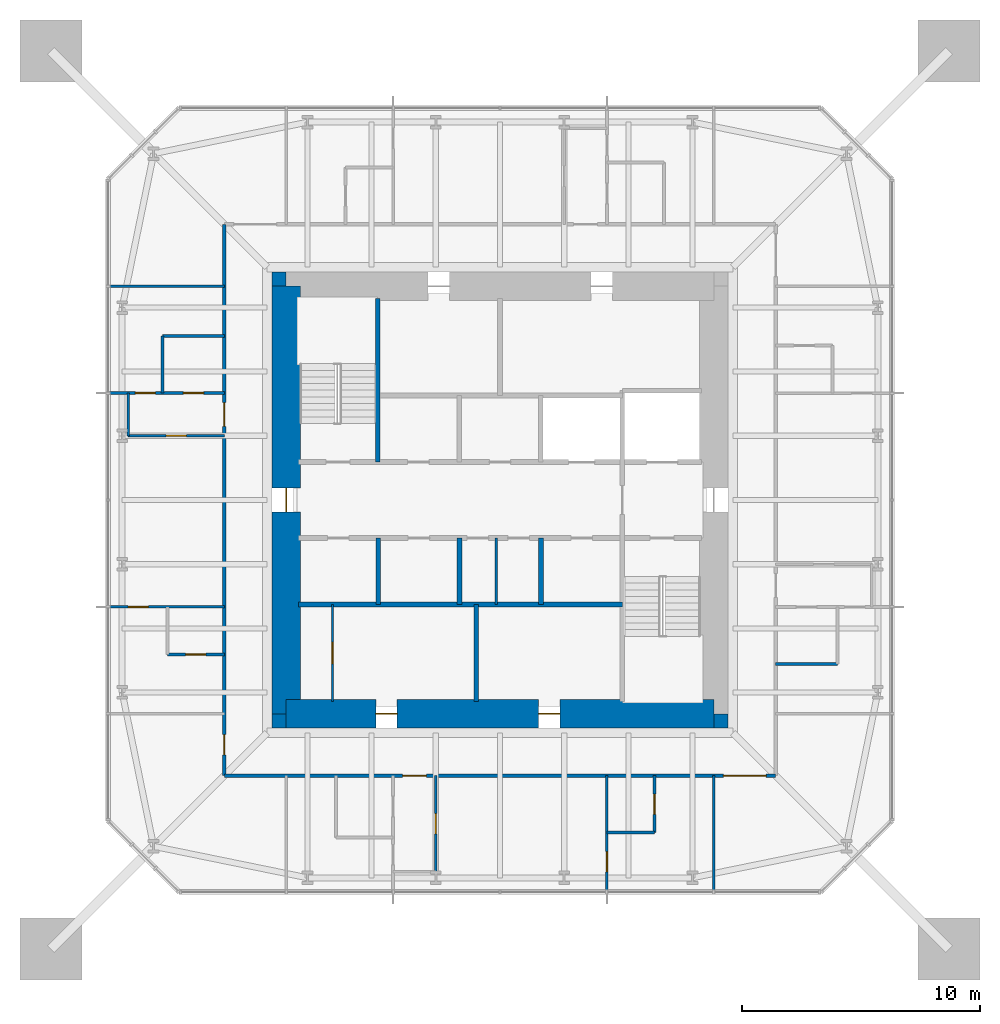
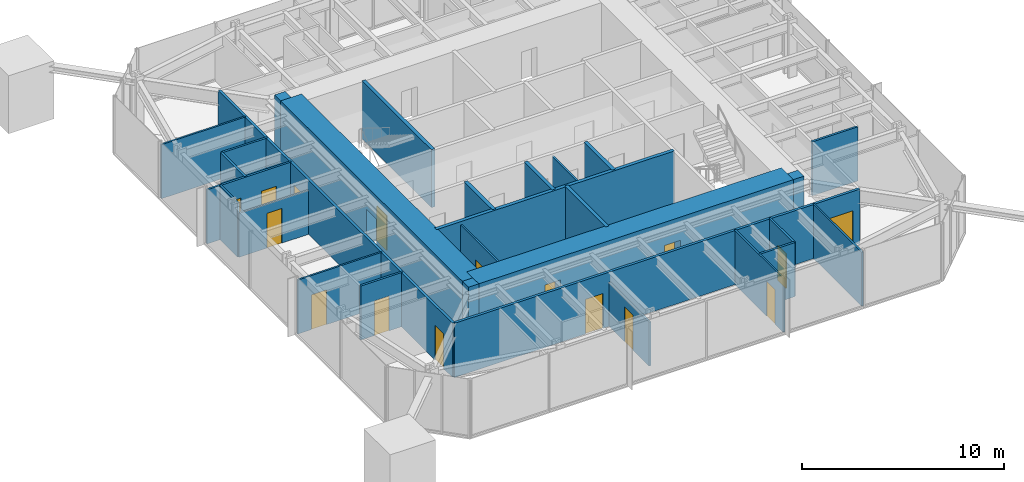
# One storey, part 6 of 9: 29 walls, 16 doors, 16 openings.
"""IFC4 building model written with IfcOpenShell, lengths in metres."""

from ifc_helpers import new_model, si_unit, direction, frame, frame_2d, origin, place, context, subcontext, project, spatial, rectangle, extrude, material, layer, layer_set, type_object, element, fill, save


model = new_model("IFC4")

# Units and contexts
model_context = context("Model", 3, precision=1e-05, world=origin(), true_north=direction((0.0, 1.0)))
body_context = subcontext(model_context, "Body", "Model", "MODEL_VIEW")
ifc_project = project(units=[si_unit("LENGTHUNIT", "METRE"), si_unit("AREAUNIT", "SQUARE_METRE"), si_unit("VOLUMEUNIT", "CUBIC_METRE"), si_unit("PLANEANGLEUNIT", "RADIAN"), si_unit("MASSUNIT", "GRAM", prefix="KILO")], contexts=[model_context])

# Site, building, storey
site_placement = place(None, origin())
site = spatial("IfcSite", under=ifc_project, at=site_placement, CompositionType="ELEMENT")
building_placement = place(site_placement, origin())
building = spatial("IfcBuilding", under=site, at=building_placement, Name="Iwan Alto Co-Living Towers", CompositionType="ELEMENT")
storey_placement = place(building_placement, frame((0.0, 0.0, 239.5)))
storey = spatial("IfcBuildingStorey", under=building, at=storey_placement, Name="L65", CompositionType="ELEMENT", Elevation=239.5)

# Wall, openings, doors
ifc_material_1 = material(Name="Gypsum board")
ifc_layer_1 = layer(ifc_material_1, 0.02490234375, Name="Board", Category="Finish")
ifc_material_2 = material(Name="Steel ASTM A1003 ST33H cold-formed studs", Category="steel")
ifc_layer_2 = layer(ifc_material_2, 0.10009765625, Name="Studs", Category="Framing")
ifc_layer_3 = layer(ifc_material_1, 0.02490234375, Name="Board", Category="Finish")
ifc_layer_set_1 = layer_set([ifc_layer_1, ifc_layer_2, ifc_layer_3], Name="CORRIDOR WALL 150")
wall_type_1 = type_object("IfcWallType", Name="CORRIDOR WALL 150", PredefinedType="PARTITIONING", material=ifc_layer_set_1)
wall_1_placement = place(storey_placement, frame((-11.60009765625, -11.60009765625, 0.0), z_axis=(0.0, 0.0, 1.0), x_axis=(1.0, 0.0, 0.0)))
wall_1 = element("IfcWall", 1, at=wall_1_placement, inside=storey, type_object=wall_type_1, Name="Partition L65", PredefinedType="PARTITIONING", context=body_context, shape_type="SweptSolid", body=[
    extrude(rectangle(XDim=23.2001953125, YDim=0.14990234375, at=frame_2d((11.60009765625, 0.0))), origin(), (0.0, 0.0, 1.0), 3.27001953125),
])
opening_1_placement = place(wall_1_placement, frame((7.5, 0.0, 0.0)))
opening_1 = element("IfcOpeningElement", 2, at=opening_1_placement, cuts=wall_1, Name="Opening D3", PredefinedType="OPENING", context=body_context, shape_type="SweptSolid", body=[
    extrude(rectangle(XDim=1.0, YDim=2.10009765625, at=frame_2d((0.5, 1.050048828125))), frame((0.0, 0.0849609375, 0.0), z_axis=(0.0, -1.0, 0.0), x_axis=(1.0, 0.0, 0.0)), (0.0, 0.0, 1.0), 0.169921875),
])
opening_2_placement = place(wall_1_placement, frame((21.0, 0.0, 0.0)))
opening_2 = element("IfcOpeningElement", 3, at=opening_2_placement, cuts=wall_1, Name="Opening D9", PredefinedType="OPENING", context=body_context, shape_type="SweptSolid", body=[
    extrude(rectangle(XDim=1.800048828125, YDim=2.10009765625, at=frame_2d((0.89990234375, 1.050048828125))), frame((0.0, 0.0849609375, 0.0), z_axis=(0.0, -1.0, 0.0), x_axis=(1.0, 0.0, 0.0)), (0.0, 0.0, 1.0), 0.169921875),
])
ifc_material_3 = material(Name="Steel frame with timber leaf", Category="steel")
door_type_1 = type_object("IfcDoorType", Name="FLAT ENTRANCE DOOR FD30S 1000X2100", OperationType="SINGLE_SWING_LEFT", PredefinedType="DOOR", material=ifc_material_3)
door_1_placement = place(opening_1_placement, frame((1.0, 0.0, 0.0), z_axis=(0.0, 0.0, 1.0), x_axis=(-1.0, 0.0, 0.0)))
door_1 = element("IfcDoor", 4, at=door_1_placement, inside=storey, type_object=door_type_1, Name="Apartment foyer door L65", OperationType="SINGLE_SWING_RIGHT", OverallHeight=2.10009765625, OverallWidth=1.0, PredefinedType="DOOR", context=body_context, shape_type="SweptSolid", body=[
    extrude(rectangle(XDim=1.0, YDim=2.10009765625, at=frame_2d((0.5, 1.050048828125))), frame((0.0, 0.02490234375, 0.0), z_axis=(0.0, -1.0, 0.0), x_axis=(1.0, 0.0, 0.0)), (0.0, 0.0, 1.0), 0.050048828125),
])
fill(opening_1, door_1)
ifc_material_4 = material(Name="Steel frame with timber leaf", Category="steel")
door_type_2 = type_object("IfcDoorType", Name="LOUNGE DOOR FD30S 1800X2100", OperationType="DOUBLE_DOOR_SINGLE_SWING", PredefinedType="DOOR", material=ifc_material_4)
door_2_placement = place(opening_2_placement, frame((1.800048828125, 0.0, 0.0), z_axis=(0.0, 0.0, 1.0), x_axis=(-1.0, 0.0, 0.0)))
door_2 = element("IfcDoor", 5, at=door_2_placement, inside=storey, type_object=door_type_2, Name="Courtyard lounge door L65", OperationType="DOUBLE_DOOR_SINGLE_SWING", OverallHeight=2.10009765625, OverallWidth=1.800048828125, PredefinedType="DOOR", context=body_context, shape_type="SweptSolid", body=[
    extrude(rectangle(XDim=1.800048828125, YDim=2.10009765625, at=frame_2d((0.89990234375, 1.050048828125))), frame((0.0, 0.02490234375, 0.0), z_axis=(0.0, -1.0, 0.0), x_axis=(1.0, 0.0, 0.0)), (0.0, 0.0, 1.0), 0.050048828125),
])
fill(opening_2, door_2)

wall_2_placement = place(storey_placement, frame((-11.60009765625, -11.60009765625, 0.0), z_axis=(0.0, 0.0, 1.0), x_axis=(0.0, 1.0, 0.0)))
wall_2 = element("IfcWall", 6, at=wall_2_placement, inside=storey, type_object=wall_type_1, Name="Partition L65", PredefinedType="PARTITIONING", context=body_context, shape_type="SweptSolid", body=[
    extrude(rectangle(XDim=23.2001953125, YDim=0.14990234375, at=frame_2d((11.60009765625, 0.0))), origin(), (0.0, 0.0, 1.0), 3.27001953125),
])
opening_3_placement = place(wall_2_placement, frame((14.699951171875, 0.0, 0.0)))
opening_3 = element("IfcOpeningElement", 7, at=opening_3_placement, cuts=wall_2, Name="Opening D3", PredefinedType="OPENING", context=body_context, shape_type="SweptSolid", body=[
    extrude(rectangle(XDim=1.0, YDim=2.10009765625, at=frame_2d((0.5, 1.050048828125))), frame((0.0, 0.0849609375, 0.0), z_axis=(0.0, -1.0, 0.0), x_axis=(1.0, 0.0, 0.0)), (0.0, 0.0, 1.0), 0.169921875),
])
opening_4_placement = place(wall_2_placement, frame((0.875, 0.0, 0.0)))
opening_4 = element("IfcOpeningElement", 8, at=opening_4_placement, cuts=wall_2, Name="Opening D2", PredefinedType="OPENING", context=body_context, shape_type="SweptSolid", body=[
    extrude(rectangle(XDim=0.85009765625, YDim=2.10009765625, at=frame_2d((0.425048828125, 1.050048828125))), frame((0.0, 0.0849609375, 0.0), z_axis=(0.0, -1.0, 0.0), x_axis=(1.0, 0.0, 0.0)), (0.0, 0.0, 1.0), 0.169921875),
])
door_3_placement = place(opening_3_placement, origin())
door_3 = element("IfcDoor", 9, at=door_3_placement, inside=storey, type_object=door_type_1, Name="Apartment foyer door L65", OperationType="SINGLE_SWING_LEFT", OverallHeight=2.10009765625, OverallWidth=1.0, PredefinedType="DOOR", context=body_context, shape_type="SweptSolid", body=[
    extrude(rectangle(XDim=1.0, YDim=2.10009765625, at=frame_2d((0.5, 1.050048828125))), frame((0.0, 0.02490234375, 0.0), z_axis=(0.0, -1.0, 0.0), x_axis=(1.0, 0.0, 0.0)), (0.0, 0.0, 1.0), 0.050048828125),
])
fill(opening_3, door_3)
ifc_material_5 = material(Name="Timber leaf in steel frame", Category="steel")
door_type_3 = type_object("IfcDoorType", Name="ROOM DOOR 850X2100", OperationType="SINGLE_SWING_LEFT", PredefinedType="DOOR", material=ifc_material_5)
door_4_placement = place(opening_4_placement, origin())
door_4 = element("IfcDoor", 10, at=door_4_placement, inside=storey, type_object=door_type_3, Name="Shared kitchen and lounge door L65", OperationType="SINGLE_SWING_RIGHT", OverallHeight=2.10009765625, OverallWidth=0.85009765625, PredefinedType="DOOR", context=body_context, shape_type="SweptSolid", body=[
    extrude(rectangle(XDim=0.85009765625, YDim=2.10009765625, at=frame_2d((0.425048828125, 1.050048828125))), frame((0.0, 0.02490234375, 0.0), z_axis=(0.0, -1.0, 0.0), x_axis=(1.0, 0.0, 0.0)), (0.0, 0.0, 1.0), 0.050048828125),
])
fill(opening_4, door_4)

# Wall, opening, door
ifc_layer_4 = layer(ifc_material_1, 0.012451171875, Name="Board", Category="Finish")
ifc_layer_5 = layer(ifc_material_2, 0.074951171875, Name="Studs", Category="Framing")
ifc_layer_6 = layer(ifc_material_1, 0.012451171875, Name="Board", Category="Finish")
ifc_layer_set_2 = layer_set([ifc_layer_4, ifc_layer_5, ifc_layer_6], Name="PARTITION 100")
wall_type_2 = type_object("IfcWallType", Name="PARTITION 100", PredefinedType="PARTITIONING", material=ifc_layer_set_2)
wall_3_placement = place(storey_placement, frame((-16.43994140625, -4.5, 0.0), z_axis=(0.0, 0.0, 1.0), x_axis=(1.0, 0.0, 0.0)))
wall_3 = element("IfcWall", 11, at=wall_3_placement, inside=storey, type_object=wall_type_2, Name="Partition L65", PredefinedType="PARTITIONING", context=body_context, shape_type="SweptSolid", body=[
    extrude(rectangle(XDim=4.83984375, YDim=0.10009765625, at=frame_2d((2.419921875, 0.0))), origin(), (0.0, 0.0, 1.0), 3.27001953125),
])
opening_5_placement = place(wall_3_placement, frame((0.794921875, 0.0, 0.0)))
opening_5 = element("IfcOpeningElement", 12, at=opening_5_placement, cuts=wall_3, Name="Opening D2", PredefinedType="OPENING", context=body_context, shape_type="SweptSolid", body=[
    extrude(rectangle(XDim=0.85009765625, YDim=2.10009765625, at=frame_2d((0.425048828125, 1.050048828125))), frame((0.0, 0.06005859375, 0.0), z_axis=(0.0, -1.0, 0.0), x_axis=(1.0, 0.0, 0.0)), (0.0, 0.0, 1.0), 0.1201171875),
])
door_5_placement = place(opening_5_placement, origin())
door_5 = element("IfcDoor", 13, at=door_5_placement, inside=storey, type_object=door_type_3, Name="Bedroom door L65", OperationType="SINGLE_SWING_LEFT", OverallHeight=2.10009765625, OverallWidth=0.85009765625, PredefinedType="DOOR", context=body_context, shape_type="SweptSolid", body=[
    extrude(rectangle(XDim=0.85009765625, YDim=2.10009765625, at=frame_2d((0.425048828125, 1.050048828125))), frame((0.0, 0.02490234375, 0.0), z_axis=(0.0, -1.0, 0.0), x_axis=(1.0, 0.0, 0.0)), (0.0, 0.0, 1.0), 0.050048828125),
])
fill(opening_5, door_5)

wall_4_placement = place(storey_placement, frame((-15.64990234375, 2.699951171875, 0.0), z_axis=(0.0, 0.0, 1.0), x_axis=(1.0, 0.0, 0.0)))
wall_4 = element("IfcWall", 14, at=wall_4_placement, inside=storey, type_object=wall_type_2, Name="Partition L65", PredefinedType="PARTITIONING", context=body_context, shape_type="SweptSolid", body=[
    extrude(rectangle(XDim=4.0498046875, YDim=0.10009765625, at=frame_2d((2.02490234375, 0.0))), origin(), (0.0, 0.0, 1.0), 2.662841796875),
])
opening_6_placement = place(wall_4_placement, frame((1.60009765625, 0.0, 0.0)))
opening_6 = element("IfcOpeningElement", 15, at=opening_6_placement, cuts=wall_4, Name="Opening D2", PredefinedType="OPENING", context=body_context, shape_type="SweptSolid", body=[
    extrude(rectangle(XDim=0.85009765625, YDim=2.10009765625, at=frame_2d((0.425048828125, 1.050048828125))), frame((0.0, 0.06005859375, 0.0), z_axis=(0.0, -1.0, 0.0), x_axis=(1.0, 0.0, 0.0)), (0.0, 0.0, 1.0), 0.1201171875),
])
door_6_placement = place(opening_6_placement, frame((0.85009765625, 0.0, 0.0), z_axis=(0.0, 0.0, 1.0), x_axis=(-1.0, 0.0, 0.0)))
door_6 = element("IfcDoor", 16, at=door_6_placement, inside=storey, type_object=door_type_3, Name="Apartment foyer door L65", OperationType="SINGLE_SWING_RIGHT", OverallHeight=2.10009765625, OverallWidth=0.85009765625, PredefinedType="DOOR", context=body_context, shape_type="SweptSolid", body=[
    extrude(rectangle(XDim=0.85009765625, YDim=2.10009765625, at=frame_2d((0.425048828125, 1.050048828125))), frame((0.0, 0.02490234375, 0.0), z_axis=(0.0, -1.0, 0.0), x_axis=(1.0, 0.0, 0.0)), (0.0, 0.0, 1.0), 0.050048828125),
])
fill(opening_6, door_6)

# Walls
for number, where, z_axis, x_axis, name in (
    (17, (-16.43994140625, 9.0, 0.0), (0.0, 0.0, 1.0), (1.0, 0.0, 0.0), "Partition L65"),
    (18, (9.0, -16.43994140625, 0.0), (0.0, 0.0, 1.0), (0.0, 1.0, 0.0), "Partition L65"),
):
    element("IfcWall", number, at=place(storey_placement, frame(where, z_axis=z_axis, x_axis=x_axis)), inside=storey, type_object=wall_type_2, Name=name, PredefinedType="PARTITIONING", context=body_context, shape_type="SweptSolid", body=[
        extrude(rectangle(XDim=4.83984375, YDim=0.10009765625, at=frame_2d((2.419921875, 0.0))), origin(), (0.0, 0.0, 1.0), 3.27001953125),
    ])

# Wall, opening, door
wall_5_placement = place(storey_placement, frame((4.5, -16.43994140625, 0.0), z_axis=(0.0, 0.0, 1.0), x_axis=(0.0, 1.0, 0.0)))
wall_5 = element("IfcWall", 19, at=wall_5_placement, inside=storey, type_object=wall_type_2, Name="Partition L65", PredefinedType="PARTITIONING", context=body_context, shape_type="SweptSolid", body=[
    extrude(rectangle(XDim=4.83984375, YDim=0.10009765625, at=frame_2d((2.419921875, 0.0))), origin(), (0.0, 0.0, 1.0), 3.27001953125),
])
opening_7_placement = place(wall_5_placement, frame((0.794921875, 0.0, 0.0)))
opening_7 = element("IfcOpeningElement", 20, at=opening_7_placement, cuts=wall_5, Name="Opening D2", PredefinedType="OPENING", context=body_context, shape_type="SweptSolid", body=[
    extrude(rectangle(XDim=0.85009765625, YDim=2.10009765625, at=frame_2d((0.425048828125, 1.050048828125))), frame((0.0, 0.06005859375, 0.0), z_axis=(0.0, -1.0, 0.0), x_axis=(1.0, 0.0, 0.0)), (0.0, 0.0, 1.0), 0.1201171875),
])
door_7_placement = place(opening_7_placement, origin())
door_7 = element("IfcDoor", 21, at=door_7_placement, inside=storey, type_object=door_type_3, Name="Bedroom door L65", OperationType="SINGLE_SWING_LEFT", OverallHeight=2.10009765625, OverallWidth=0.85009765625, PredefinedType="DOOR", context=body_context, shape_type="SweptSolid", body=[
    extrude(rectangle(XDim=0.85009765625, YDim=2.10009765625, at=frame_2d((0.425048828125, 1.050048828125))), frame((0.0, 0.02490234375, 0.0), z_axis=(0.0, -1.0, 0.0), x_axis=(1.0, 0.0, 0.0)), (0.0, 0.0, 1.0), 0.050048828125),
])
fill(opening_7, door_7)

# Wall
wall_6_placement = place(storey_placement, frame((-0.158935546875, -4.39990234375, 0.0), z_axis=(0.0, 0.0, 1.0), x_axis=(0.0, 1.0, 0.0)))
element("IfcWall", 22, at=wall_6_placement, inside=storey, type_object=wall_type_2, Name="Partition L65", PredefinedType="PARTITIONING", context=body_context, shape_type="SweptSolid", body=[
    extrude(rectangle(XDim=2.7998046875, YDim=0.10009765625, at=frame_2d((1.39990234375, 0.0))), origin(), (0.0, 0.0, 1.0), 3.300048828125),
])

# Wall, opening, door
wall_7_placement = place(storey_placement, frame((-2.699951171875, -15.64990234375, 0.0), z_axis=(0.0, 0.0, 1.0), x_axis=(0.0, 1.0, 0.0)))
wall_7 = element("IfcWall", 23, at=wall_7_placement, inside=storey, type_object=wall_type_2, Name="Partition L65", PredefinedType="PARTITIONING", context=body_context, shape_type="SweptSolid", body=[
    extrude(rectangle(XDim=4.0498046875, YDim=0.10009765625, at=frame_2d((2.02490234375, 0.0))), origin(), (0.0, 0.0, 1.0), 2.662841796875),
])
opening_8_placement = place(wall_7_placement, frame((1.60009765625, 0.0, 0.0)))
opening_8 = element("IfcOpeningElement", 24, at=opening_8_placement, cuts=wall_7, Name="Opening D2", PredefinedType="OPENING", context=body_context, shape_type="SweptSolid", body=[
    extrude(rectangle(XDim=0.85009765625, YDim=2.10009765625, at=frame_2d((0.425048828125, 1.050048828125))), frame((0.0, 0.06005859375, 0.0), z_axis=(0.0, -1.0, 0.0), x_axis=(1.0, 0.0, 0.0)), (0.0, 0.0, 1.0), 0.1201171875),
])
door_8_placement = place(opening_8_placement, frame((0.85009765625, 0.0, 0.0), z_axis=(0.0, 0.0, 1.0), x_axis=(-1.0, 0.0, 0.0)))
door_8 = element("IfcDoor", 25, at=door_8_placement, inside=storey, type_object=door_type_3, Name="Apartment foyer door L65", OperationType="SINGLE_SWING_RIGHT", OverallHeight=2.10009765625, OverallWidth=0.85009765625, PredefinedType="DOOR", context=body_context, shape_type="SweptSolid", body=[
    extrude(rectangle(XDim=0.85009765625, YDim=2.10009765625, at=frame_2d((0.425048828125, 1.050048828125))), frame((0.0, 0.02490234375, 0.0), z_axis=(0.0, -1.0, 0.0), x_axis=(1.0, 0.0, 0.0)), (0.0, 0.0, 1.0), 0.050048828125),
])
fill(opening_8, door_8)

wall_8_placement = place(storey_placement, frame((-7.050048828125, -8.489990234375, 0.0), z_axis=(0.0, 0.0, 1.0), x_axis=(0.0, 1.0, 0.0)))
wall_8 = element("IfcWall", 26, at=wall_8_placement, inside=storey, type_object=wall_type_2, Name="Partition L65", PredefinedType="PARTITIONING", context=body_context, shape_type="SweptSolid", body=[
    extrude(rectangle(XDim=4.090087890625, YDim=0.10009765625, at=frame_2d((2.044921875, 0.0))), origin(), (0.0, 0.0, 1.0), 3.300048828125),
])
opening_9_placement = place(wall_8_placement, frame((1.594970703125, 0.0, 0.0)))
opening_9 = element("IfcOpeningElement", 27, at=opening_9_placement, cuts=wall_8, Name="Opening D16", PredefinedType="OPENING", context=body_context, shape_type="SweptSolid", body=[
    extrude(rectangle(XDim=0.89990234375, YDim=2.10009765625, at=frame_2d((0.449951171875, 1.050048828125))), frame((0.0, 0.06005859375, 0.0), z_axis=(0.0, -1.0, 0.0), x_axis=(1.0, 0.0, 0.0)), (0.0, 0.0, 1.0), 0.1201171875),
])
ifc_material_6 = material(Name="Timber leaf in steel frame", Category="steel")
door_type_4 = type_object("IfcDoorType", Name="CUPBOARD SLIDING DOOR 900X2100", OperationType="SLIDING_TO_LEFT", PredefinedType="DOOR", material=ifc_material_6)
door_9_placement = place(opening_9_placement, origin())
door_9 = element("IfcDoor", 28, at=door_9_placement, inside=storey, type_object=door_type_4, Name="Bin store door L65", OperationType="SLIDING_TO_LEFT", OverallHeight=2.10009765625, OverallWidth=0.89990234375, PredefinedType="DOOR", context=body_context, shape_type="SweptSolid", body=[
    extrude(rectangle(XDim=0.89990234375, YDim=2.10009765625, at=frame_2d((0.449951171875, 1.050048828125))), frame((0.0, 0.02490234375, 0.0), z_axis=(0.0, -1.0, 0.0), x_axis=(1.0, 0.0, 0.0)), (0.0, 0.0, 1.0), 0.050048828125),
])
fill(opening_9, door_9)

# Walls
wall_9_placement = place(storey_placement, frame((-15.64990234375, 2.699951171875, 0.0), z_axis=(0.0, 0.0, 1.0), x_axis=(0.0, 1.0, 0.0)))
element("IfcWall", 29, at=wall_9_placement, inside=storey, type_object=wall_type_2, Name="Partition L65", PredefinedType="PARTITIONING", context=body_context, shape_type="SweptSolid", body=[
    extrude(rectangle(XDim=1.800048828125, YDim=0.10009765625, at=frame_2d((0.89990234375, 0.0))), origin(), (0.0, 0.0, 1.0), 3.27001953125),
])
ifc_material_7 = material(Name="Concrete f'c 70 MPa", Category="concrete")
ifc_layer_7 = layer(ifc_material_7, 0.199951171875)
ifc_layer_set_3 = layer_set([ifc_layer_7], Name="SHAFT WALL 200")
wall_type_3 = type_object("IfcWallType", Name="SHAFT WALL 200", PredefinedType="SOLIDWALL", material=ifc_layer_set_3)
wall_10_placement = place(storey_placement, frame((-8.489990234375, -4.39990234375, 0.0), z_axis=(0.0, 0.0, 1.0), x_axis=(1.0, 0.0, 0.0)))
element("IfcWall", 30, at=wall_10_placement, inside=storey, type_object=wall_type_3, Name="Shaft wall L65", PredefinedType="SOLIDWALL", context=body_context, shape_type="SweptSolid", body=[
    extrude(rectangle(XDim=13.639892578125, YDim=0.199951171875, at=frame_2d((6.81982421875, 0.0))), origin(), (0.0, 0.0, 1.0), 3.5),
])
wall_11_placement = place(storey_placement, frame((1.72509765625, -4.39990234375, 0.0), z_axis=(0.0, 0.0, 1.0), x_axis=(0.0, 1.0, 0.0)))
element("IfcWall", 31, at=wall_11_placement, inside=storey, type_object=wall_type_3, Name="Shaft wall L65", PredefinedType="SOLIDWALL", context=body_context, shape_type="SweptSolid", body=[
    extrude(rectangle(XDim=2.7998046875, YDim=0.199951171875, at=frame_2d((1.39990234375, 0.0))), origin(), (0.0, 0.0, 1.0), 3.5),
])
wall_12_placement = place(storey_placement, frame((-1.0, -8.489990234375, 0.0), z_axis=(0.0, 0.0, 1.0), x_axis=(0.0, 1.0, 0.0)))
element("IfcWall", 32, at=wall_12_placement, inside=storey, type_object=wall_type_3, Name="Shaft wall L65", PredefinedType="SOLIDWALL", context=body_context, shape_type="SweptSolid", body=[
    extrude(rectangle(XDim=4.090087890625, YDim=0.199951171875, at=frame_2d((2.044921875, 0.0))), origin(), (0.0, 0.0, 1.0), 3.5),
])
for number, where, z_axis, x_axis, name in (
    (33, (-1.699951171875, -4.39990234375, 0.0), (0.0, 0.0, 1.0), (0.0, 1.0, 0.0), "Shaft wall L65"),
    (34, (-5.125, -4.39990234375, 0.0), (0.0, 0.0, 1.0), (0.0, 1.0, 0.0), "Shaft wall L65"),
):
    element("IfcWall", number, at=place(storey_placement, frame(where, z_axis=z_axis, x_axis=x_axis)), inside=storey, type_object=wall_type_3, Name=name, PredefinedType="SOLIDWALL", context=body_context, shape_type="SweptSolid", body=[
        extrude(rectangle(XDim=2.7998046875, YDim=0.199951171875, at=frame_2d((1.39990234375, 0.0))), origin(), (0.0, 0.0, 1.0), 3.5),
    ])
wall_13_placement = place(storey_placement, frame((-5.14990234375, 1.60009765625, 0.0), z_axis=(0.0, 0.0, 1.0), x_axis=(0.0, 1.0, 0.0)))
element("IfcWall", 35, at=wall_13_placement, inside=storey, type_object=wall_type_3, Name="Shaft wall L65", PredefinedType="SOLIDWALL", context=body_context, shape_type="SweptSolid", body=[
    extrude(rectangle(XDim=6.889892578125, YDim=0.199951171875, at=frame_2d((3.44482421875, 0.0))), origin(), (0.0, 0.0, 1.0), 3.5),
])
ifc_material_8 = material(Name="Concrete f'c 70 MPa", Category="concrete")
ifc_layer_8 = layer(ifc_material_8, 0.60009765625)
ifc_layer_set_4 = layer_set([ifc_layer_8], Name="T1 CORE CORNER FILL 600")
wall_type_4 = type_object("IfcWallType", Name="T1 CORE CORNER FILL 600", PredefinedType="SOLIDWALL", material=ifc_layer_set_4)
for number, where, z_axis, x_axis, name in (
    (36, (-9.60009765625, -9.300048828125, 0.0), (0.0, 0.0, 1.0), (1.0, 0.0, 0.0), "T1 core corner SW L65"),
    (37, (9.0, -9.300048828125, 0.0), (0.0, 0.0, 1.0), (1.0, 0.0, 0.0), "T1 core corner SE L65"),
    (38, (-9.60009765625, 9.300048828125, 0.0), (0.0, 0.0, 1.0), (1.0, 0.0, 0.0), "T1 core corner NW L65"),
):
    element("IfcWall", number, at=place(storey_placement, frame(where, z_axis=z_axis, x_axis=x_axis)), inside=storey, type_object=wall_type_4, Name=name, PredefinedType="SOLIDWALL", context=body_context, shape_type="SweptSolid", body=[
        extrude(rectangle(XDim=0.60009765625, YDim=0.60009765625, at=frame_2d((0.300048828125, 0.0))), origin(), (0.0, 0.0, 1.0), 3.5),
    ])

# Wall, openings, doors
ifc_material_9 = material(Name="Concrete f'c 70 MPa", Category="concrete")
ifc_layer_9 = layer(ifc_material_9, 1.199951171875)
ifc_layer_set_5 = layer_set([ifc_layer_9], Name="T1 CORE WALL 1200")
wall_type_5 = type_object("IfcWallType", Name="T1 CORE WALL 1200", PredefinedType="SHEAR", material=ifc_layer_set_5)
wall_14_placement = place(storey_placement, frame((-9.0, -9.0, 0.0), z_axis=(0.0, 0.0, 1.0), x_axis=(1.0, 0.0, 0.0)))
wall_14 = element("IfcWall", 39, at=wall_14_placement, inside=storey, type_object=wall_type_5, Name="T1 core wall S L65", PredefinedType="SHEAR", context=body_context, shape_type="SweptSolid", body=[
    extrude(rectangle(XDim=18.0, YDim=1.199951171875, at=frame_2d((9.0, 0.0))), origin(), (0.0, 0.0, 1.0), 3.5),
])
opening_10_placement = place(wall_14_placement, frame((3.77490234375, 0.0, 0.0)))
opening_10 = element("IfcOpeningElement", 40, at=opening_10_placement, cuts=wall_14, Name="Opening D8", PredefinedType="OPENING", context=body_context, shape_type="SweptSolid", body=[
    extrude(rectangle(XDim=0.89990234375, YDim=2.10009765625, at=frame_2d((0.449951171875, 1.050048828125))), frame((0.0, 0.60986328125, 0.0), z_axis=(0.0, -1.0, 0.0), x_axis=(1.0, 0.0, 0.0)), (0.0, 0.0, 1.0), 1.219970703125),
])
opening_11_placement = place(wall_14_placement, frame((10.625, 0.0, 0.0)))
opening_11 = element("IfcOpeningElement", 41, at=opening_11_placement, cuts=wall_14, Name="Opening D8", PredefinedType="OPENING", context=body_context, shape_type="SweptSolid", body=[
    extrude(rectangle(XDim=0.89990234375, YDim=2.10009765625, at=frame_2d((0.449951171875, 1.050048828125))), frame((0.0, 0.60986328125, 0.0), z_axis=(0.0, -1.0, 0.0), x_axis=(1.0, 0.0, 0.0)), (0.0, 0.0, 1.0), 1.219970703125),
])
ifc_material_10 = material(Name="Steel frame with timber leaf", Category="steel")
door_type_5 = type_object("IfcDoorType", Name="RISER DOOR FD120 900X2100", OperationType="SINGLE_SWING_LEFT", PredefinedType="DOOR", material=ifc_material_10)
door_10_placement = place(opening_10_placement, origin())
door_10 = element("IfcDoor", 42, at=door_10_placement, inside=storey, type_object=door_type_5, Name="Refuse room core door L65", OperationType="SINGLE_SWING_LEFT", OverallHeight=2.10009765625, OverallWidth=0.89990234375, PredefinedType="DOOR", context=body_context, shape_type="SweptSolid", body=[
    extrude(rectangle(XDim=0.89990234375, YDim=2.10009765625, at=frame_2d((0.449951171875, 1.050048828125))), frame((0.0, 0.02490234375, 0.0), z_axis=(0.0, -1.0, 0.0), x_axis=(1.0, 0.0, 0.0)), (0.0, 0.0, 1.0), 0.050048828125),
])
fill(opening_10, door_10)
door_11_placement = place(opening_11_placement, origin())
door_11 = element("IfcDoor", 43, at=door_11_placement, inside=storey, type_object=door_type_5, Name="Telecom riser core door L65", OperationType="SINGLE_SWING_LEFT", OverallHeight=2.10009765625, OverallWidth=0.89990234375, PredefinedType="DOOR", context=body_context, shape_type="SweptSolid", body=[
    extrude(rectangle(XDim=0.89990234375, YDim=2.10009765625, at=frame_2d((0.449951171875, 1.050048828125))), frame((0.0, 0.02490234375, 0.0), z_axis=(0.0, -1.0, 0.0), x_axis=(1.0, 0.0, 0.0)), (0.0, 0.0, 1.0), 0.050048828125),
])
fill(opening_11, door_11)

# Wall, opening, door
wall_15_placement = place(storey_placement, frame((-9.0, 9.0, 0.0), z_axis=(0.0, 0.0, 1.0), x_axis=(0.0, -1.0, 0.0)))
wall_15 = element("IfcWall", 44, at=wall_15_placement, inside=storey, type_object=wall_type_5, Name="T1 core wall W L65", PredefinedType="SHEAR", context=body_context, shape_type="SweptSolid", body=[
    extrude(rectangle(XDim=18.0, YDim=1.199951171875, at=frame_2d((9.0, 0.0))), origin(), (0.0, 0.0, 1.0), 3.5),
])
opening_12_placement = place(wall_15_placement, frame((8.5, 0.0, 0.0)))
opening_12 = element("IfcOpeningElement", 45, at=opening_12_placement, cuts=wall_15, Name="Opening D7", PredefinedType="OPENING", context=body_context, shape_type="SweptSolid", body=[
    extrude(rectangle(XDim=1.0, YDim=2.10009765625, at=frame_2d((0.5, 1.050048828125))), frame((0.0, 0.60986328125, 0.0), z_axis=(0.0, -1.0, 0.0), x_axis=(1.0, 0.0, 0.0)), (0.0, 0.0, 1.0), 1.219970703125),
])
ifc_material_11 = material(Name="Steel frame with timber leaf", Category="steel")
door_type_6 = type_object("IfcDoorType", Name="CORE DOOR FD120S 1000X2100", OperationType="SINGLE_SWING_LEFT", PredefinedType="DOOR", material=ifc_material_11)
door_12_placement = place(opening_12_placement, origin())
door_12 = element("IfcDoor", 46, at=door_12_placement, inside=storey, type_object=door_type_6, Name="Lift lobby core door L65", OperationType="SINGLE_SWING_RIGHT", OverallHeight=2.10009765625, OverallWidth=1.0, PredefinedType="DOOR", context=body_context, shape_type="SweptSolid", body=[
    extrude(rectangle(XDim=1.0, YDim=2.10009765625, at=frame_2d((0.5, 1.050048828125))), frame((0.0, 0.02490234375, 0.0), z_axis=(0.0, -1.0, 0.0), x_axis=(1.0, 0.0, 0.0)), (0.0, 0.0, 1.0), 0.050048828125),
])
fill(opening_12, door_12)

# Walls
ifc_material_12 = material(Name="Cement board")
ifc_layer_10 = layer(ifc_material_12, 0.012451171875, Name="Board", Category="Finish")
ifc_layer_11 = layer(ifc_material_2, 0.094970703125, Name="Studs", Category="Framing")
ifc_layer_12 = layer(ifc_material_12, 0.012451171875, Name="Board", Category="Finish")
ifc_layer_set_6 = layer_set([ifc_layer_10, ifc_layer_11, ifc_layer_12], Name="WET AREA PARTITION 120")
wall_type_6 = type_object("IfcWallType", Name="WET AREA PARTITION 120", PredefinedType="PARTITIONING", material=ifc_layer_set_6)
wall_16_placement = place(storey_placement, frame((4.5, -14.0, 0.0), z_axis=(0.0, 0.0, 1.0), x_axis=(1.0, 0.0, 0.0)))
element("IfcWall", 47, at=wall_16_placement, inside=storey, type_object=wall_type_6, Name="Partition L65", PredefinedType="PARTITIONING", context=body_context, shape_type="SweptSolid", body=[
    extrude(rectangle(XDim=2.0, YDim=0.1201171875, at=frame_2d((1.0, 0.0))), origin(), (0.0, 0.0, 1.0), 3.27001953125),
])
wall_17_placement = place(storey_placement, frame((11.60009765625, -6.89990234375, 0.0), z_axis=(0.0, 0.0, 1.0), x_axis=(1.0, 0.0, 0.0)))
element("IfcWall", 48, at=wall_17_placement, inside=storey, type_object=wall_type_6, Name="Partition L65", PredefinedType="PARTITIONING", context=body_context, shape_type="SweptSolid", body=[
    extrude(rectangle(XDim=2.599853515625, YDim=0.1201171875, at=frame_2d((1.2998046875, 0.0))), origin(), (0.0, 0.0, 1.0), 3.27001953125),
])

# Wall, opening, door
wall_18_placement = place(storey_placement, frame((-14.0, -6.5, 0.0), z_axis=(0.0, 0.0, 1.0), x_axis=(1.0, 0.0, 0.0)))
wall_18 = element("IfcWall", 49, at=wall_18_placement, inside=storey, type_object=wall_type_6, Name="Partition L65", PredefinedType="PARTITIONING", context=body_context, shape_type="SweptSolid", body=[
    extrude(rectangle(XDim=2.39990234375, YDim=0.1201171875, at=frame_2d((1.199951171875, 0.0))), origin(), (0.0, 0.0, 1.0), 3.27001953125),
])
opening_13_placement = place(wall_18_placement, frame((0.77490234375, 0.0, 0.0)))
opening_13 = element("IfcOpeningElement", 50, at=opening_13_placement, cuts=wall_18, Name="Opening D2", PredefinedType="OPENING", context=body_context, shape_type="SweptSolid", body=[
    extrude(rectangle(XDim=0.85009765625, YDim=2.10009765625, at=frame_2d((0.425048828125, 1.050048828125))), frame((0.0, 0.070068359375, 0.0), z_axis=(0.0, -1.0, 0.0), x_axis=(1.0, 0.0, 0.0)), (0.0, 0.0, 1.0), 0.14013671875),
])
door_13_placement = place(opening_13_placement, frame((0.85009765625, 0.0, 0.0), z_axis=(0.0, 0.0, 1.0), x_axis=(-1.0, 0.0, 0.0)))
door_13 = element("IfcDoor", 51, at=door_13_placement, inside=storey, type_object=door_type_3, Name="En-suite shower room door L65", OperationType="SINGLE_SWING_LEFT", OverallHeight=2.10009765625, OverallWidth=0.85009765625, PredefinedType="DOOR", context=body_context, shape_type="SweptSolid", body=[
    extrude(rectangle(XDim=0.85009765625, YDim=2.10009765625, at=frame_2d((0.425048828125, 1.050048828125))), frame((0.0, 0.02490234375, 0.0), z_axis=(0.0, -1.0, 0.0), x_axis=(1.0, 0.0, 0.0)), (0.0, 0.0, 1.0), 0.050048828125),
])
fill(opening_13, door_13)

# Wall, openings, doors
wall_19_placement = place(storey_placement, frame((-16.43994140625, 4.5, 0.0), z_axis=(0.0, 0.0, 1.0), x_axis=(1.0, 0.0, 0.0)))
wall_19 = element("IfcWall", 52, at=wall_19_placement, inside=storey, type_object=wall_type_6, Name="Partition L65", PredefinedType="PARTITIONING", context=body_context, shape_type="SweptSolid", body=[
    extrude(rectangle(XDim=4.83984375, YDim=0.1201171875, at=frame_2d((2.419921875, 0.0))), origin(), (0.0, 0.0, 1.0), 3.27001953125),
])
opening_14_placement = place(wall_19_placement, frame((1.090087890625, 0.0, 0.0)))
opening_14 = element("IfcOpeningElement", 53, at=opening_14_placement, cuts=wall_19, Name="Opening D2", PredefinedType="OPENING", context=body_context, shape_type="SweptSolid", body=[
    extrude(rectangle(XDim=0.85009765625, YDim=2.10009765625, at=frame_2d((0.425048828125, 1.050048828125))), frame((0.0, 0.070068359375, 0.0), z_axis=(0.0, -1.0, 0.0), x_axis=(1.0, 0.0, 0.0)), (0.0, 0.0, 1.0), 0.14013671875),
])
opening_15_placement = place(wall_19_placement, frame((3.114990234375, 0.0, 0.0)))
opening_15 = element("IfcOpeningElement", 54, at=opening_15_placement, cuts=wall_19, Name="Opening D2", PredefinedType="OPENING", context=body_context, shape_type="SweptSolid", body=[
    extrude(rectangle(XDim=0.85009765625, YDim=2.10009765625, at=frame_2d((0.425048828125, 1.050048828125))), frame((0.0, 0.070068359375, 0.0), z_axis=(0.0, -1.0, 0.0), x_axis=(1.0, 0.0, 0.0)), (0.0, 0.0, 1.0), 0.14013671875),
])
door_14_placement = place(opening_14_placement, origin())
door_14 = element("IfcDoor", 55, at=door_14_placement, inside=storey, type_object=door_type_3, Name="Bedroom door L65", OperationType="SINGLE_SWING_RIGHT", OverallHeight=2.10009765625, OverallWidth=0.85009765625, PredefinedType="DOOR", context=body_context, shape_type="SweptSolid", body=[
    extrude(rectangle(XDim=0.85009765625, YDim=2.10009765625, at=frame_2d((0.425048828125, 1.050048828125))), frame((0.0, 0.02490234375, 0.0), z_axis=(0.0, -1.0, 0.0), x_axis=(1.0, 0.0, 0.0)), (0.0, 0.0, 1.0), 0.050048828125),
])
fill(opening_14, door_14)
door_15_placement = place(opening_15_placement, origin())
door_15 = element("IfcDoor", 56, at=door_15_placement, inside=storey, type_object=door_type_3, Name="Bathroom door L65", OperationType="SINGLE_SWING_LEFT", OverallHeight=2.10009765625, OverallWidth=0.85009765625, PredefinedType="DOOR", context=body_context, shape_type="SweptSolid", body=[
    extrude(rectangle(XDim=0.85009765625, YDim=2.10009765625, at=frame_2d((0.425048828125, 1.050048828125))), frame((0.0, 0.02490234375, 0.0), z_axis=(0.0, -1.0, 0.0), x_axis=(1.0, 0.0, 0.0)), (0.0, 0.0, 1.0), 0.050048828125),
])
fill(opening_15, door_15)

# Wall
wall_20_placement = place(storey_placement, frame((-14.199951171875, 6.89990234375, 0.0), z_axis=(0.0, 0.0, 1.0), x_axis=(1.0, 0.0, 0.0)))
element("IfcWall", 57, at=wall_20_placement, inside=storey, type_object=wall_type_6, Name="Partition L65", PredefinedType="PARTITIONING", context=body_context, shape_type="SweptSolid", body=[
    extrude(rectangle(XDim=2.599853515625, YDim=0.1201171875, at=frame_2d((1.2998046875, 0.0))), origin(), (0.0, 0.0, 1.0), 3.27001953125),
])

# Wall, opening, door
wall_21_placement = place(storey_placement, frame((6.5, -14.0, 0.0), z_axis=(0.0, 0.0, 1.0), x_axis=(0.0, 1.0, 0.0)))
wall_21 = element("IfcWall", 58, at=wall_21_placement, inside=storey, type_object=wall_type_6, Name="Partition L65", PredefinedType="PARTITIONING", context=body_context, shape_type="SweptSolid", body=[
    extrude(rectangle(XDim=2.39990234375, YDim=0.1201171875, at=frame_2d((1.199951171875, 0.0))), origin(), (0.0, 0.0, 1.0), 3.27001953125),
])
opening_16_placement = place(wall_21_placement, frame((0.77490234375, 0.0, 0.0)))
opening_16 = element("IfcOpeningElement", 59, at=opening_16_placement, cuts=wall_21, Name="Opening D2", PredefinedType="OPENING", context=body_context, shape_type="SweptSolid", body=[
    extrude(rectangle(XDim=0.85009765625, YDim=2.10009765625, at=frame_2d((0.425048828125, 1.050048828125))), frame((0.0, 0.070068359375, 0.0), z_axis=(0.0, -1.0, 0.0), x_axis=(1.0, 0.0, 0.0)), (0.0, 0.0, 1.0), 0.14013671875),
])
door_16_placement = place(opening_16_placement, frame((0.85009765625, 0.0, 0.0), z_axis=(0.0, 0.0, 1.0), x_axis=(-1.0, 0.0, 0.0)))
door_16 = element("IfcDoor", 60, at=door_16_placement, inside=storey, type_object=door_type_3, Name="En-suite shower room door L65", OperationType="SINGLE_SWING_LEFT", OverallHeight=2.10009765625, OverallWidth=0.85009765625, PredefinedType="DOOR", context=body_context, shape_type="SweptSolid", body=[
    extrude(rectangle(XDim=0.85009765625, YDim=2.10009765625, at=frame_2d((0.425048828125, 1.050048828125))), frame((0.0, 0.02490234375, 0.0), z_axis=(0.0, -1.0, 0.0), x_axis=(1.0, 0.0, 0.0)), (0.0, 0.0, 1.0), 0.050048828125),
])
fill(opening_16, door_16)

# Wall
wall_22_placement = place(storey_placement, frame((-14.199951171875, 4.5, 0.0), z_axis=(0.0, 0.0, 1.0), x_axis=(0.0, 1.0, 0.0)))
element("IfcWall", 61, at=wall_22_placement, inside=storey, type_object=wall_type_6, Name="Partition L65", PredefinedType="PARTITIONING", context=body_context, shape_type="SweptSolid", body=[
    extrude(rectangle(XDim=2.39990234375, YDim=0.1201171875, at=frame_2d((1.199951171875, 0.0))), origin(), (0.0, 0.0, 1.0), 3.27001953125),
])

save(model, "model.ifc")
